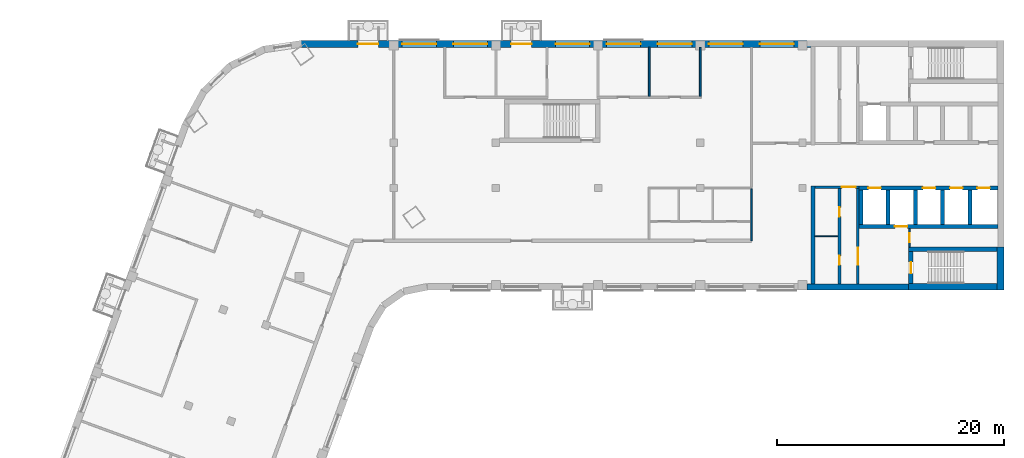
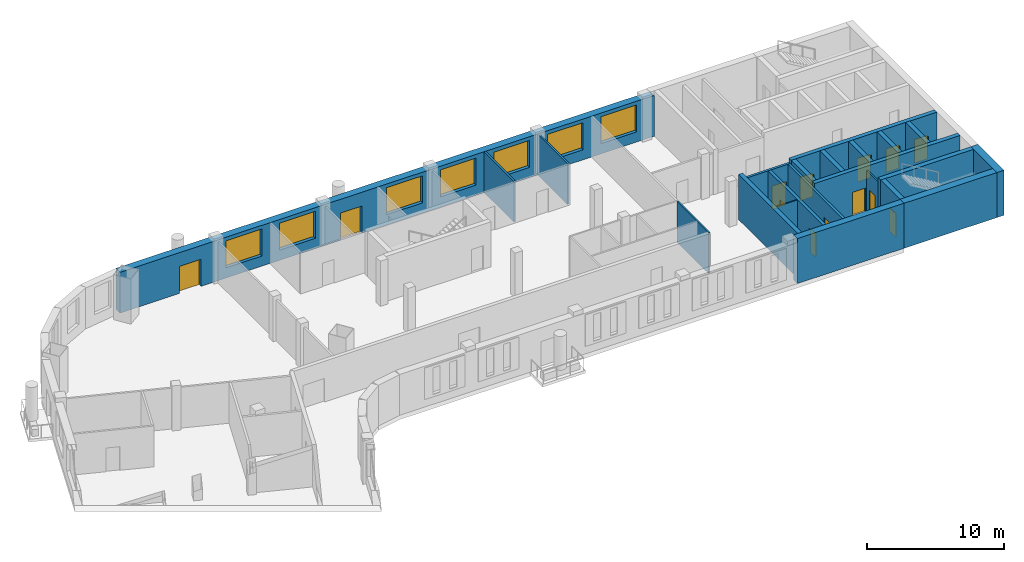
# One storey, part 5 of 10: 22 walls, 13 doors, 7 windows, 20 openings.
"""IFC4 building model written with IfcOpenShell, lengths in metres."""

from ifc_helpers import new_model, si_unit, direction, frame, frame_2d, origin, place, context, subcontext, project, spatial, rectangle, extrude, material, layer, layer_set, type_object, element, fill, save


model = new_model("IFC4")

# Units and contexts
model_context = context("Model", 3, precision=1e-05, world=origin(), true_north=direction((0.0, 1.0)))
body_context = subcontext(model_context, "Body", "Model", "MODEL_VIEW")
ifc_project = project(units=[si_unit("LENGTHUNIT", "METRE"), si_unit("AREAUNIT", "SQUARE_METRE"), si_unit("VOLUMEUNIT", "CUBIC_METRE"), si_unit("PLANEANGLEUNIT", "RADIAN"), si_unit("MASSUNIT", "GRAM", prefix="KILO")], contexts=[model_context])

# Site, building, storey
site_placement = place(None, origin())
site = spatial("IfcSite", under=ifc_project, at=site_placement, CompositionType="ELEMENT")
building_placement = place(site_placement, origin())
building = spatial("IfcBuilding", under=site, at=building_placement, Name="Skarvind Civic Tower", CompositionType="ELEMENT")
storey_placement = place(building_placement, frame((0.0, 0.0, 166.5)))
storey = spatial("IfcBuildingStorey", under=building, at=storey_placement, Name="L39", CompositionType="ELEMENT", Elevation=166.5)

# Wall, opening, door
ifc_material_1 = material(Name="Fire-rated masonry partition", Category="masonry")
ifc_layer_1 = layer(ifc_material_1, 0.199951171875)
ifc_layer_set_1 = layer_set([ifc_layer_1], Name="Core enclosure wall 200")
wall_type_1 = type_object("IfcWallType", Name="Core enclosure wall 200", PredefinedType="PARTITIONING", material=ifc_layer_set_1)
wall_1_placement = place(storey_placement, frame((95.22509765625, 126.074951171875, 0.0), z_axis=(0.0, 0.0, 1.0), x_axis=(-1.0, 0.0, 0.0)))
wall_1 = element("IfcWall", 1, at=wall_1_placement, inside=storey, type_object=wall_type_1, Name="Core wall C1", PredefinedType="PARTITIONING", context=body_context, shape_type="SweptSolid", body=[
    extrude(rectangle(XDim=3.875, YDim=0.199951171875, at=frame_2d((1.9375, 0.0))), origin(), (0.0, 0.0, 1.0), 3.625),
])
opening_1_placement = place(wall_1_placement, frame((0.300048828125, 0.0, 0.0)))
opening_1 = element("IfcOpeningElement", 2, at=opening_1_placement, cuts=wall_1, Name="Opening D-L39-C1-07", PredefinedType="OPENING", context=body_context, shape_type="SweptSolid", body=[
    extrude(rectangle(XDim=1.199951171875, YDim=2.10009765625, at=frame_2d((0.60009765625, 1.050048828125))), frame((0.0, 0.10986328125, 0.0), z_axis=(0.0, -1.0, 0.0), x_axis=(1.0, 0.0, 0.0)), (0.0, 0.0, 1.0), 0.219970703125),
])
ifc_material_2 = material(Name="Fire-rated steel door", Category="steel")
door_type_1 = type_object("IfcDoorType", Name="Core lobby door 1200", OperationType="NOTDEFINED", PredefinedType="DOOR", material=ifc_material_2)
door_1_placement = place(opening_1_placement, origin())
door_1 = element("IfcDoor", 3, at=door_1_placement, inside=storey, type_object=door_type_1, Name="Fire door", OperationType="DOUBLE_DOOR_SINGLE_SWING", OverallHeight=2.10009765625, OverallWidth=1.199951171875, PredefinedType="DOOR", context=body_context, shape_type="SweptSolid", body=[
    extrude(rectangle(XDim=1.199951171875, YDim=2.10009765625, at=frame_2d((0.60009765625, 1.050048828125))), frame((0.0, 0.02490234375, 0.0), z_axis=(0.0, -1.0, 0.0), x_axis=(1.0, 0.0, 0.0)), (0.0, 0.0, 1.0), 0.050048828125),
])
fill(opening_1, door_1)

wall_2_placement = place(storey_placement, frame((95.125, 117.550048828125, 0.0), z_axis=(0.0, 0.0, 1.0), x_axis=(0.0, 1.0, 0.0)))
wall_2 = element("IfcWall", 4, at=wall_2_placement, inside=storey, type_object=wall_type_1, Name="Core wall C1", PredefinedType="PARTITIONING", context=body_context, shape_type="SweptSolid", body=[
    extrude(rectangle(XDim=8.425048828125, YDim=0.199951171875, at=frame_2d((4.21240234375, 0.0))), origin(), (0.0, 0.0, 1.0), 3.625),
])
opening_2_placement = place(wall_2_placement, frame((1.6875, 0.0, 0.0)))
opening_2 = element("IfcOpeningElement", 5, at=opening_2_placement, cuts=wall_2, Name="Opening D-L39-C1-08", PredefinedType="OPENING", context=body_context, shape_type="SweptSolid", body=[
    extrude(rectangle(XDim=1.5, YDim=2.10009765625, at=frame_2d((0.75, 1.050048828125))), frame((0.0, 0.10986328125, 0.0), z_axis=(0.0, -1.0, 0.0), x_axis=(1.0, 0.0, 0.0)), (0.0, 0.0, 1.0), 0.219970703125),
])
door_type_2 = type_object("IfcDoorType", Name="Fire door 1500", OperationType="NOTDEFINED", PredefinedType="DOOR", material=ifc_material_2)
door_2_placement = place(opening_2_placement, origin())
door_2 = element("IfcDoor", 6, at=door_2_placement, inside=storey, type_object=door_type_2, Name="Fire door", OperationType="DOUBLE_DOOR_SINGLE_SWING", OverallHeight=2.10009765625, OverallWidth=1.5, PredefinedType="DOOR", context=body_context, shape_type="SweptSolid", body=[
    extrude(rectangle(XDim=1.5, YDim=2.10009765625, at=frame_2d((0.75, 1.050048828125))), frame((0.0, 0.02490234375, 0.0), z_axis=(0.0, -1.0, 0.0), x_axis=(1.0, 0.0, 0.0)), (0.0, 0.0, 1.0), 0.050048828125),
])
fill(opening_2, door_2)

# Wall
ifc_material_3 = material(Name="Fire-rated plasterboard partition")
ifc_layer_2 = layer(ifc_material_3, 0.10009765625)
ifc_layer_set_2 = layer_set([ifc_layer_2], Name="Core partition wall 100")
wall_type_2 = type_object("IfcWallType", Name="Core partition wall 100", PredefinedType="PARTITIONING", material=ifc_layer_set_2)
wall_3_placement = place(storey_placement, frame((93.375, 121.760009765625, 0.0), z_axis=(0.0, 0.0, 1.0), x_axis=(-1.0, 0.0, 0.0)))
element("IfcWall", 7, at=wall_3_placement, inside=storey, type_object=wall_type_2, Name="Core wall C1", PredefinedType="PARTITIONING", context=body_context, shape_type="SweptSolid", body=[
    extrude(rectangle(XDim=2.02490234375, YDim=0.10009765625, at=frame_2d((1.012451171875, 0.0))), origin(), (0.0, 0.0, 1.0), 3.625),
])

# Wall, openings, doors
ifc_material_4 = material(Name="Concrete C60", Category="concrete")
ifc_layer_3 = layer(ifc_material_4, 0.35009765625)
ifc_layer_set_3 = layer_set([ifc_layer_3], Name="Core wall 350 C60")
wall_type_3 = type_object("IfcWallType", Name="Core wall 350 C60", PredefinedType="SHEAR", material=ifc_layer_set_3)
wall_4_placement = place(storey_placement, frame((107.449951171875, 126.0, 0.0), z_axis=(0.0, 0.0, 1.0), x_axis=(-1.0, 0.0, 0.0)))
wall_4 = element("IfcWall", 8, at=wall_4_placement, inside=storey, type_object=wall_type_3, Name="Core wall C1 north lift row front L39", PredefinedType="SHEAR", context=body_context, shape_type="SweptSolid", body=[
    extrude(rectangle(XDim=12.224853515625, YDim=0.35009765625, at=frame_2d((6.1123046875, 0.0))), origin(), (0.0, 0.0, 1.0), 4.0),
])
opening_3_placement = place(wall_4_placement, frame((0.699951171875, 0.0, 0.0)))
opening_3 = element("IfcOpeningElement", 9, at=opening_3_placement, cuts=wall_4, Name="Opening LD41101", PredefinedType="OPENING", context=body_context, shape_type="SweptSolid", body=[
    extrude(rectangle(XDim=1.10009765625, YDim=2.10009765625, at=frame_2d((0.550048828125, 1.050048828125))), frame((0.0, 0.18505859375, 0.0), z_axis=(0.0, -1.0, 0.0), x_axis=(1.0, 0.0, 0.0)), (0.0, 0.0, 1.0), 0.3701171875),
])
opening_4_placement = place(wall_4_placement, frame((3.10009765625, 0.0, 0.0)))
opening_4 = element("IfcOpeningElement", 10, at=opening_4_placement, cuts=wall_4, Name="Opening LD41102", PredefinedType="OPENING", context=body_context, shape_type="SweptSolid", body=[
    extrude(rectangle(XDim=1.10009765625, YDim=2.10009765625, at=frame_2d((0.550048828125, 1.050048828125))), frame((0.0, 0.18505859375, 0.0), z_axis=(0.0, -1.0, 0.0), x_axis=(1.0, 0.0, 0.0)), (0.0, 0.0, 1.0), 0.3701171875),
])
opening_5_placement = place(wall_4_placement, frame((5.5, 0.0, 0.0)))
opening_5 = element("IfcOpeningElement", 11, at=opening_5_placement, cuts=wall_4, Name="Opening LD41103", PredefinedType="OPENING", context=body_context, shape_type="SweptSolid", body=[
    extrude(rectangle(XDim=1.10009765625, YDim=2.10009765625, at=frame_2d((0.550048828125, 1.050048828125))), frame((0.0, 0.18505859375, 0.0), z_axis=(0.0, -1.0, 0.0), x_axis=(1.0, 0.0, 0.0)), (0.0, 0.0, 1.0), 0.3701171875),
])
opening_6_placement = place(wall_4_placement, frame((10.300048828125, 0.0, 0.0)))
opening_6 = element("IfcOpeningElement", 12, at=opening_6_placement, cuts=wall_4, Name="Opening LD41105", PredefinedType="OPENING", context=body_context, shape_type="SweptSolid", body=[
    extrude(rectangle(XDim=1.10009765625, YDim=2.10009765625, at=frame_2d((0.550048828125, 1.050048828125))), frame((0.0, 0.18505859375, 0.0), z_axis=(0.0, -1.0, 0.0), x_axis=(1.0, 0.0, 0.0)), (0.0, 0.0, 1.0), 0.3701171875),
])
ifc_material_5 = material(Name="Stainless steel landing door", Category="steel")
door_type_3 = type_object("IfcDoorType", Name="Lift landing door 1100", OperationType="DOUBLE_DOOR_SLIDING", PredefinedType="DOOR", material=ifc_material_5)
door_3_placement = place(opening_3_placement, origin())
door_3 = element("IfcDoor", 13, at=door_3_placement, inside=storey, type_object=door_type_3, Name="Lift landing door", OperationType="DOUBLE_DOOR_SLIDING", OverallHeight=2.10009765625, OverallWidth=1.10009765625, PredefinedType="DOOR", context=body_context, shape_type="SweptSolid", body=[
    extrude(rectangle(XDim=1.10009765625, YDim=2.10009765625, at=frame_2d((0.550048828125, 1.050048828125))), frame((0.0, 0.02490234375, 0.0), z_axis=(0.0, -1.0, 0.0), x_axis=(1.0, 0.0, 0.0)), (0.0, 0.0, 1.0), 0.050048828125),
])
fill(opening_3, door_3)
door_4_placement = place(opening_4_placement, origin())
door_4 = element("IfcDoor", 14, at=door_4_placement, inside=storey, type_object=door_type_3, Name="Lift landing door", OperationType="DOUBLE_DOOR_SLIDING", OverallHeight=2.10009765625, OverallWidth=1.10009765625, PredefinedType="DOOR", context=body_context, shape_type="SweptSolid", body=[
    extrude(rectangle(XDim=1.10009765625, YDim=2.10009765625, at=frame_2d((0.550048828125, 1.050048828125))), frame((0.0, 0.02490234375, 0.0), z_axis=(0.0, -1.0, 0.0), x_axis=(1.0, 0.0, 0.0)), (0.0, 0.0, 1.0), 0.050048828125),
])
fill(opening_4, door_4)
door_5_placement = place(opening_5_placement, origin())
door_5 = element("IfcDoor", 15, at=door_5_placement, inside=storey, type_object=door_type_3, Name="Lift landing door", OperationType="DOUBLE_DOOR_SLIDING", OverallHeight=2.10009765625, OverallWidth=1.10009765625, PredefinedType="DOOR", context=body_context, shape_type="SweptSolid", body=[
    extrude(rectangle(XDim=1.10009765625, YDim=2.10009765625, at=frame_2d((0.550048828125, 1.050048828125))), frame((0.0, 0.02490234375, 0.0), z_axis=(0.0, -1.0, 0.0), x_axis=(1.0, 0.0, 0.0)), (0.0, 0.0, 1.0), 0.050048828125),
])
fill(opening_5, door_5)
door_6_placement = place(opening_6_placement, origin())
door_6 = element("IfcDoor", 16, at=door_6_placement, inside=storey, type_object=door_type_3, Name="Lift landing door", OperationType="DOUBLE_DOOR_SLIDING", OverallHeight=2.10009765625, OverallWidth=1.10009765625, PredefinedType="DOOR", context=body_context, shape_type="SweptSolid", body=[
    extrude(rectangle(XDim=1.10009765625, YDim=2.10009765625, at=frame_2d((0.550048828125, 1.050048828125))), frame((0.0, 0.02490234375, 0.0), z_axis=(0.0, -1.0, 0.0), x_axis=(1.0, 0.0, 0.0)), (0.0, 0.0, 1.0), 0.050048828125),
])
fill(opening_6, door_6)

# Wall, opening, door
wall_5_placement = place(storey_placement, frame((107.449951171875, 122.60009765625, 0.0), z_axis=(0.0, 0.0, 1.0), x_axis=(-1.0, 0.0, 0.0)))
wall_5 = element("IfcWall", 17, at=wall_5_placement, inside=storey, type_object=wall_type_3, Name="Core wall C1 north lift row back L39", PredefinedType="SHEAR", context=body_context, shape_type="SweptSolid", body=[
    extrude(rectangle(XDim=12.224853515625, YDim=0.35009765625, at=frame_2d((6.1123046875, 0.0))), origin(), (0.0, 0.0, 1.0), 4.0),
])
opening_7_placement = place(wall_5_placement, frame((7.949951171875, 0.0, 0.0)))
opening_7 = element("IfcOpeningElement", 18, at=opening_7_placement, cuts=wall_5, Name="Opening LD41104", PredefinedType="OPENING", context=body_context, shape_type="SweptSolid", body=[
    extrude(rectangle(XDim=1.10009765625, YDim=2.10009765625, at=frame_2d((0.550048828125, 1.050048828125))), frame((0.0, 0.18505859375, 0.0), z_axis=(0.0, -1.0, 0.0), x_axis=(1.0, 0.0, 0.0)), (0.0, 0.0, 1.0), 0.3701171875),
])
door_7_placement = place(opening_7_placement, origin())
door_7 = element("IfcDoor", 19, at=door_7_placement, inside=storey, type_object=door_type_3, Name="Lift landing door", OperationType="DOUBLE_DOOR_SLIDING", OverallHeight=2.10009765625, OverallWidth=1.10009765625, PredefinedType="DOOR", context=body_context, shape_type="SweptSolid", body=[
    extrude(rectangle(XDim=1.10009765625, YDim=2.10009765625, at=frame_2d((0.550048828125, 1.050048828125))), frame((0.0, 0.02490234375, 0.0), z_axis=(0.0, -1.0, 0.0), x_axis=(1.0, 0.0, 0.0)), (0.0, 0.0, 1.0), 0.050048828125),
])
fill(opening_7, door_7)

# Walls
for number, where, z_axis, x_axis, name in (
    (20, (105.0, 125.824951171875, 0.0), (0.0, 0.0, 1.0), (0.0, -1.0, 0.0), "Core wall C1 north lift row division 1 L39"),
    (21, (102.60009765625, 125.824951171875, 0.0), (0.0, 0.0, 1.0), (0.0, -1.0, 0.0), "Core wall C1 north lift row division 2 L39"),
    (22, (100.199951171875, 125.824951171875, 0.0), (0.0, 0.0, 1.0), (0.0, -1.0, 0.0), "Core wall C1 north lift row division 3 L39"),
    (23, (97.800048828125, 125.824951171875, 0.0), (0.0, 0.0, 1.0), (0.0, -1.0, 0.0), "Core wall C1 north lift row division 4 L39"),
    (24, (95.39990234375, 125.824951171875, 0.0), (0.0, 0.0, 1.0), (0.0, -1.0, 0.0), "Core wall C1 north lift row division 5 L39"),
):
    element("IfcWall", number, at=place(storey_placement, frame(where, z_axis=z_axis, x_axis=x_axis)), inside=storey, type_object=wall_type_3, Name=name, PredefinedType="SHEAR", context=body_context, shape_type="SweptSolid", body=[
        extrude(rectangle(XDim=3.050048828125, YDim=0.35009765625, at=frame_2d((1.52490234375, 0.0))), origin(), (0.0, 0.0, 1.0), 4.0),
    ])
wall_6_placement = place(storey_placement, frame((91.175048828125, 126.199951171875, 0.0), z_axis=(0.0, 0.0, 1.0), x_axis=(0.0, -1.0, 0.0)))
element("IfcWall", 25, at=wall_6_placement, inside=storey, type_object=wall_type_3, Name="Core wall C1 north inner face L39", PredefinedType="SHEAR", context=body_context, shape_type="SweptSolid", body=[
    extrude(rectangle(XDim=8.64990234375, YDim=0.35009765625, at=frame_2d((4.324951171875, 0.0))), origin(), (0.0, 0.0, 1.0), 4.0),
])
ifc_layer_4 = layer(ifc_material_4, 0.39990234375)
ifc_layer_set_4 = layer_set([ifc_layer_4], Name="Core wall 400 C60")
wall_type_4 = type_object("IfcWallType", Name="Core wall 400 C60", PredefinedType="SHEAR", material=ifc_layer_set_4)
wall_7_placement = place(storey_placement, frame((107.39990234375, 120.60009765625, 0.0), z_axis=(0.0, 0.0, 1.0), x_axis=(-1.0, 0.0, 0.0)))
element("IfcWall", 26, at=wall_7_placement, inside=storey, type_object=wall_type_4, Name="Core wall C1 north stair inner L39", PredefinedType="SHEAR", context=body_context, shape_type="SweptSolid", body=[
    extrude(rectangle(XDim=7.7998046875, YDim=0.39990234375, at=frame_2d((3.89990234375, 0.0))), origin(), (0.0, 0.0, 1.0), 4.0),
])

# Wall, opening, door
wall_8_placement = place(storey_placement, frame((99.800048828125, 120.39990234375, 0.0), z_axis=(0.0, 0.0, 1.0), x_axis=(0.0, -1.0, 0.0)))
wall_8 = element("IfcWall", 27, at=wall_8_placement, inside=storey, type_object=wall_type_4, Name="Core wall C1 north stair end L39", PredefinedType="SHEAR", context=body_context, shape_type="SweptSolid", body=[
    extrude(rectangle(XDim=2.7998046875, YDim=0.39990234375, at=frame_2d((1.39990234375, 0.0))), origin(), (0.0, 0.0, 1.0), 4.0),
])
opening_8_placement = place(wall_8_placement, frame((0.925048828125, 0.0, 0.0)))
opening_8 = element("IfcOpeningElement", 28, at=opening_8_placement, cuts=wall_8, Name="Opening D-L39-C1-09", PredefinedType="OPENING", context=body_context, shape_type="SweptSolid", body=[
    extrude(rectangle(XDim=1.0, YDim=2.10009765625, at=frame_2d((0.5, 1.050048828125))), frame((0.0, 0.2099609375, 0.0), z_axis=(0.0, -1.0, 0.0), x_axis=(1.0, 0.0, 0.0)), (0.0, 0.0, 1.0), 0.419921875),
])
door_type_4 = type_object("IfcDoorType", Name="Fire door 1000", OperationType="NOTDEFINED", PredefinedType="DOOR", material=ifc_material_2)
door_8_placement = place(opening_8_placement, origin())
door_8 = element("IfcDoor", 29, at=door_8_placement, inside=storey, type_object=door_type_4, Name="Fire door", OperationType="SINGLE_SWING_LEFT", OverallHeight=2.10009765625, OverallWidth=1.0, PredefinedType="DOOR", context=body_context, shape_type="SweptSolid", body=[
    extrude(rectangle(XDim=1.0, YDim=2.10009765625, at=frame_2d((0.5, 1.050048828125))), frame((0.0, 0.02490234375, 0.0), z_axis=(0.0, -1.0, 0.0), x_axis=(1.0, 0.0, 0.0)), (0.0, 0.0, 1.0), 0.050048828125),
])
fill(opening_8, door_8)

# Walls
ifc_layer_5 = layer(ifc_material_4, 0.550048828125)
ifc_layer_set_5 = layer_set([ifc_layer_5], Name="Core wall 550 C60")
wall_type_5 = type_object("IfcWallType", Name="Core wall 550 C60", PredefinedType="SHEAR", material=ifc_layer_set_5)
wall_9_placement = place(storey_placement, frame((99.60009765625, 117.27490234375, 0.0), z_axis=(0.0, 0.0, 1.0), x_axis=(-1.0, 0.0, 0.0)))
element("IfcWall", 30, at=wall_9_placement, inside=storey, type_object=wall_type_5, Name="Core wall C1 north side L39", PredefinedType="SHEAR", context=body_context, shape_type="SweptSolid", body=[
    extrude(rectangle(XDim=8.9501953125, YDim=0.550048828125, at=frame_2d((4.47509765625, 0.0))), origin(), (0.0, 0.0, 1.0), 4.0),
])
ifc_layer_6 = layer(ifc_material_4, 0.60009765625)
ifc_layer_set_6 = layer_set([ifc_layer_6], Name="Core wall 600 C60")
wall_type_6 = type_object("IfcWallType", Name="Core wall 600 C60", PredefinedType="SHEAR", material=ifc_layer_set_6)
wall_10_placement = place(storey_placement, frame((107.699951171875, 120.800048828125, 0.0), z_axis=(0.0, 0.0, 1.0), x_axis=(0.0, -1.0, 0.0)))
element("IfcWall", 31, at=wall_10_placement, inside=storey, type_object=wall_type_6, Name="Core wall C1 tip at the north stair L39", PredefinedType="SHEAR", context=body_context, shape_type="SweptSolid", body=[
    extrude(rectangle(XDim=3.800048828125, YDim=0.60009765625, at=frame_2d((1.89990234375, 0.0))), origin(), (0.0, 0.0, 1.0), 4.0),
])
wall_11_placement = place(storey_placement, frame((107.39990234375, 117.300048828125, 0.0), z_axis=(0.0, 0.0, 1.0), x_axis=(-1.0, 0.0, 0.0)))
element("IfcWall", 32, at=wall_11_placement, inside=storey, type_object=wall_type_6, Name="Core wall C1 north side at the stair L39", PredefinedType="SHEAR", context=body_context, shape_type="SweptSolid", body=[
    extrude(rectangle(XDim=7.7998046875, YDim=0.60009765625, at=frame_2d((3.89990234375, 0.0))), origin(), (0.0, 0.0, 1.0), 4.0),
])
ifc_material_6 = material(Name="Plasterboard partition on steel studs", Category="steel")
ifc_layer_7 = layer(ifc_material_6, 0.14990234375)
ifc_layer_set_7 = layer_set([ifc_layer_7], Name="PARTITION 150")
wall_type_7 = type_object("IfcWallType", Name="PARTITION 150", PredefinedType="PARTITIONING", material=ifc_layer_set_7)
for number, where, z_axis, x_axis, name in (
    (33, (76.75, 134.074951171875, 0.0), (0.0, 0.0, 1.0), (0.0, 1.0, 0.0), "Partition 39.025"),
    (34, (81.25, 138.39990234375, 0.0), (0.0, 0.0, 1.0), (0.0, -1.0, 0.0), "Partition 39.027"),
):
    element("IfcWall", number, at=place(storey_placement, frame(where, z_axis=z_axis, x_axis=x_axis)), inside=storey, type_object=wall_type_7, Name=name, PredefinedType="PARTITIONING", context=body_context, shape_type="SweptSolid", body=[
        extrude(rectangle(XDim=4.324951171875, YDim=0.14990234375, at=frame_2d((2.16259765625, 0.0))), origin(), (0.0, 0.0, 1.0), 3.625),
    ])

# Wall, opening, door
ifc_layer_8 = layer(ifc_material_1, 0.125)
ifc_layer_set_8 = layer_set([ifc_layer_8], Name="Riser wall 125")
wall_type_8 = type_object("IfcWallType", Name="Riser wall 125", PredefinedType="PARTITIONING", material=ifc_layer_set_8)
wall_12_placement = place(storey_placement, frame((99.66259765625, 120.800048828125, 0.0), z_axis=(0.0, 0.0, 1.0), x_axis=(0.0, 1.0, 0.0)))
wall_12 = element("IfcWall", 35, at=wall_12_placement, inside=storey, type_object=wall_type_8, Name="Core wall C1", PredefinedType="PARTITIONING", context=body_context, shape_type="SweptSolid", body=[
    extrude(rectangle(XDim=1.625, YDim=0.125, at=frame_2d((0.8125, 0.0))), origin(), (0.0, 0.0, 1.0), 3.625),
])
opening_9_placement = place(wall_12_placement, frame((0.41259765625, 0.0, 0.0)))
opening_9 = element("IfcOpeningElement", 36, at=opening_9_placement, cuts=wall_12, Name="Opening D-L39-C1-10", PredefinedType="OPENING", context=body_context, shape_type="SweptSolid", body=[
    extrude(rectangle(XDim=0.800048828125, YDim=2.10009765625, at=frame_2d((0.39990234375, 1.050048828125))), frame((0.0, 0.072509765625, 0.0), z_axis=(0.0, -1.0, 0.0), x_axis=(1.0, 0.0, 0.0)), (0.0, 0.0, 1.0), 0.14501953125),
])
door_type_5 = type_object("IfcDoorType", Name="Core riser door 800", OperationType="NOTDEFINED", PredefinedType="DOOR", material=ifc_material_2)
door_9_placement = place(opening_9_placement, origin())
door_9 = element("IfcDoor", 37, at=door_9_placement, inside=storey, type_object=door_type_5, Name="Riser door", OperationType="SINGLE_SWING_RIGHT", OverallHeight=2.10009765625, OverallWidth=0.800048828125, PredefinedType="DOOR", context=body_context, shape_type="SweptSolid", body=[
    extrude(rectangle(XDim=0.800048828125, YDim=2.10009765625, at=frame_2d((0.39990234375, 1.050048828125))), frame((0.0, 0.02490234375, 0.0), z_axis=(0.0, -1.0, 0.0), x_axis=(1.0, 0.0, 0.0)), (0.0, 0.0, 1.0), 0.050048828125),
])
fill(opening_9, door_9)

# Wall, openings, doors
ifc_layer_9 = layer(ifc_material_1, 0.25)
ifc_layer_set_9 = layer_set([ifc_layer_9], Name="Service block wall 250")
wall_type_9 = type_object("IfcWallType", Name="Service block wall 250", PredefinedType="PARTITIONING", material=ifc_layer_set_9)
wall_13_placement = place(storey_placement, frame((93.5, 117.550048828125, 0.0), z_axis=(0.0, 0.0, 1.0), x_axis=(0.0, 1.0, 0.0)))
wall_13 = element("IfcWall", 38, at=wall_13_placement, inside=storey, type_object=wall_type_9, Name="Core wall C1", PredefinedType="PARTITIONING", context=body_context, shape_type="SweptSolid", body=[
    extrude(rectangle(XDim=8.425048828125, YDim=0.25, at=frame_2d((4.21240234375, 0.0))), origin(), (0.0, 0.0, 1.0), 3.625),
])
opening_10_placement = place(wall_13_placement, frame((5.9423828125, 0.0, 0.0)))
opening_10 = element("IfcOpeningElement", 39, at=opening_10_placement, cuts=wall_13, Name="Opening D-L39-C1-11", PredefinedType="OPENING", context=body_context, shape_type="SweptSolid", body=[
    extrude(rectangle(XDim=0.800048828125, YDim=2.10009765625, at=frame_2d((0.39990234375, 1.050048828125))), frame((0.0, 0.135009765625, 0.0), z_axis=(0.0, -1.0, 0.0), x_axis=(1.0, 0.0, 0.0)), (0.0, 0.0, 1.0), 0.27001953125),
])
opening_11_placement = place(wall_13_placement, frame((1.679931640625, 0.0, 0.0)))
opening_11 = element("IfcOpeningElement", 40, at=opening_11_placement, cuts=wall_13, Name="Opening D-L39-C1-12", PredefinedType="OPENING", context=body_context, shape_type="SweptSolid", body=[
    extrude(rectangle(XDim=0.800048828125, YDim=2.10009765625, at=frame_2d((0.39990234375, 1.050048828125))), frame((0.0, 0.135009765625, 0.0), z_axis=(0.0, -1.0, 0.0), x_axis=(1.0, 0.0, 0.0)), (0.0, 0.0, 1.0), 0.27001953125),
])
door_10_placement = place(opening_10_placement, origin())
door_10 = element("IfcDoor", 41, at=door_10_placement, inside=storey, type_object=door_type_5, Name="Riser door", OperationType="SINGLE_SWING_LEFT", OverallHeight=2.10009765625, OverallWidth=0.800048828125, PredefinedType="DOOR", context=body_context, shape_type="SweptSolid", body=[
    extrude(rectangle(XDim=0.800048828125, YDim=2.10009765625, at=frame_2d((0.39990234375, 1.050048828125))), frame((0.0, 0.02490234375, 0.0), z_axis=(0.0, -1.0, 0.0), x_axis=(1.0, 0.0, 0.0)), (0.0, 0.0, 1.0), 0.050048828125),
])
fill(opening_10, door_10)
door_11_placement = place(opening_11_placement, origin())
door_11 = element("IfcDoor", 42, at=door_11_placement, inside=storey, type_object=door_type_5, Name="Riser door", OperationType="SINGLE_SWING_RIGHT", OverallHeight=2.10009765625, OverallWidth=0.800048828125, PredefinedType="DOOR", context=body_context, shape_type="SweptSolid", body=[
    extrude(rectangle(XDim=0.800048828125, YDim=2.10009765625, at=frame_2d((0.39990234375, 1.050048828125))), frame((0.0, 0.02490234375, 0.0), z_axis=(0.0, -1.0, 0.0), x_axis=(1.0, 0.0, 0.0)), (0.0, 0.0, 1.0), 0.050048828125),
])
fill(opening_11, door_11)

# Wall
ifc_material_7 = material(Name="Moisture-resistant gypsum board on steel studs", Category="steel")
ifc_layer_10 = layer(ifc_material_7, 0.125)
ifc_layer_set_10 = layer_set([ifc_layer_10], Name="WC PARTITION 125")
wall_type_10 = type_object("IfcWallType", Name="WC PARTITION 125", PredefinedType="PARTITIONING", material=ifc_layer_set_10)
wall_14_placement = place(storey_placement, frame((85.75, 121.35009765625, 0.0), z_axis=(0.0, 0.0, 1.0), x_axis=(0.0, 1.0, 0.0)))
element("IfcWall", 43, at=wall_14_placement, inside=storey, type_object=wall_type_10, Name="Partition 39.029", PredefinedType="PARTITIONING", context=body_context, shape_type="SweptSolid", body=[
    extrude(rectangle(XDim=4.577880859375, YDim=0.125, at=frame_2d((2.2890625, 0.0))), origin(), (0.0, 0.0, 1.0), 3.625),
])

# Wall, openings, doors, windows
ifc_material_8 = material(Name="Limestone masonry cladding on insulated backing", Category="masonry")
ifc_layer_11 = layer(ifc_material_8, 0.60009765625)
ifc_layer_set_11 = layer_set([ifc_layer_11], Name="WX1 STONE FACADE WALL 600")
wall_type_11 = type_object("IfcWallType", Name="WX1 STONE FACADE WALL 600", PredefinedType="SOLIDWALL", material=ifc_layer_set_11)
wall_15_placement = place(storey_placement, frame((46.095458984375, 138.699951171875, 0.0), z_axis=(0.0, 0.0, 1.0), x_axis=(1.0, 0.0, 0.0)))
wall_15 = element("IfcWall", 44, at=wall_15_placement, inside=storey, type_object=wall_type_11, Name="STONE FACADE WALL", PredefinedType="SOLIDWALL", context=body_context, shape_type="SweptSolid", body=[
    extrude(rectangle(XDim=44.884521484375, YDim=0.60009765625, at=frame_2d((22.4423828125, 0.0))), origin(), (0.0, 0.0, 1.0), 3.625),
])
opening_12_placement = place(wall_15_placement, frame((5.00439453125, 0.0, 0.0)))
opening_12 = element("IfcOpeningElement", 45, at=opening_12_placement, cuts=wall_15, Name="Opening DX3", PredefinedType="OPENING", context=body_context, shape_type="SweptSolid", body=[
    extrude(rectangle(XDim=1.800048828125, YDim=2.39990234375, at=frame_2d((0.89990234375, 1.199951171875))), frame((0.0, 0.31005859375, 0.0), z_axis=(0.0, -1.0, 0.0), x_axis=(1.0, 0.0, 0.0)), (0.0, 0.0, 1.0), 0.6201171875),
])
opening_13_placement = place(wall_15_placement, frame((8.904541015625, 0.0, 0.89990234375)))
opening_13 = element("IfcOpeningElement", 46, at=opening_13_placement, cuts=wall_15, Name="Opening WN1", PredefinedType="OPENING", context=body_context, shape_type="SweptSolid", body=[
    extrude(rectangle(XDim=3.0, YDim=2.39990234375, at=frame_2d((1.5, 1.199951171875))), frame((0.0, 0.31005859375, 0.0), z_axis=(0.0, -1.0, 0.0), x_axis=(1.0, 0.0, 0.0)), (0.0, 0.0, 1.0), 0.6201171875),
])
opening_14_placement = place(wall_15_placement, frame((13.404541015625, 0.0, 0.89990234375)))
opening_14 = element("IfcOpeningElement", 47, at=opening_14_placement, cuts=wall_15, Name="Opening WN1", PredefinedType="OPENING", context=body_context, shape_type="SweptSolid", body=[
    extrude(rectangle(XDim=3.0, YDim=2.39990234375, at=frame_2d((1.5, 1.199951171875))), frame((0.0, 0.31005859375, 0.0), z_axis=(0.0, -1.0, 0.0), x_axis=(1.0, 0.0, 0.0)), (0.0, 0.0, 1.0), 0.6201171875),
])
opening_15_placement = place(wall_15_placement, frame((18.50439453125, 0.0, 0.0)))
opening_15 = element("IfcOpeningElement", 48, at=opening_15_placement, cuts=wall_15, Name="Opening DX3", PredefinedType="OPENING", context=body_context, shape_type="SweptSolid", body=[
    extrude(rectangle(XDim=1.800048828125, YDim=2.39990234375, at=frame_2d((0.89990234375, 1.199951171875))), frame((0.0, 0.31005859375, 0.0), z_axis=(0.0, -1.0, 0.0), x_axis=(1.0, 0.0, 0.0)), (0.0, 0.0, 1.0), 0.6201171875),
])
opening_16_placement = place(wall_15_placement, frame((22.404541015625, 0.0, 0.89990234375)))
opening_16 = element("IfcOpeningElement", 49, at=opening_16_placement, cuts=wall_15, Name="Opening WN1", PredefinedType="OPENING", context=body_context, shape_type="SweptSolid", body=[
    extrude(rectangle(XDim=3.0, YDim=2.39990234375, at=frame_2d((1.5, 1.199951171875))), frame((0.0, 0.31005859375, 0.0), z_axis=(0.0, -1.0, 0.0), x_axis=(1.0, 0.0, 0.0)), (0.0, 0.0, 1.0), 0.6201171875),
])
opening_17_placement = place(wall_15_placement, frame((26.904541015625, 0.0, 0.89990234375)))
opening_17 = element("IfcOpeningElement", 50, at=opening_17_placement, cuts=wall_15, Name="Opening WN1", PredefinedType="OPENING", context=body_context, shape_type="SweptSolid", body=[
    extrude(rectangle(XDim=3.0, YDim=2.39990234375, at=frame_2d((1.5, 1.199951171875))), frame((0.0, 0.31005859375, 0.0), z_axis=(0.0, -1.0, 0.0), x_axis=(1.0, 0.0, 0.0)), (0.0, 0.0, 1.0), 0.6201171875),
])
opening_18_placement = place(wall_15_placement, frame((31.404541015625, 0.0, 0.89990234375)))
opening_18 = element("IfcOpeningElement", 51, at=opening_18_placement, cuts=wall_15, Name="Opening WN1", PredefinedType="OPENING", context=body_context, shape_type="SweptSolid", body=[
    extrude(rectangle(XDim=3.0, YDim=2.39990234375, at=frame_2d((1.5, 1.199951171875))), frame((0.0, 0.31005859375, 0.0), z_axis=(0.0, -1.0, 0.0), x_axis=(1.0, 0.0, 0.0)), (0.0, 0.0, 1.0), 0.6201171875),
])
opening_19_placement = place(wall_15_placement, frame((35.904541015625, 0.0, 0.89990234375)))
opening_19 = element("IfcOpeningElement", 52, at=opening_19_placement, cuts=wall_15, Name="Opening WN1", PredefinedType="OPENING", context=body_context, shape_type="SweptSolid", body=[
    extrude(rectangle(XDim=3.0, YDim=2.39990234375, at=frame_2d((1.5, 1.199951171875))), frame((0.0, 0.31005859375, 0.0), z_axis=(0.0, -1.0, 0.0), x_axis=(1.0, 0.0, 0.0)), (0.0, 0.0, 1.0), 0.6201171875),
])
opening_20_placement = place(wall_15_placement, frame((40.404541015625, 0.0, 0.89990234375)))
opening_20 = element("IfcOpeningElement", 53, at=opening_20_placement, cuts=wall_15, Name="Opening WN1", PredefinedType="OPENING", context=body_context, shape_type="SweptSolid", body=[
    extrude(rectangle(XDim=3.0, YDim=2.39990234375, at=frame_2d((1.5, 1.199951171875))), frame((0.0, 0.31005859375, 0.0), z_axis=(0.0, -1.0, 0.0), x_axis=(1.0, 0.0, 0.0)), (0.0, 0.0, 1.0), 0.6201171875),
])
ifc_material_9 = material(Name="Timber and glass doorset", Category="wood")
door_type_6 = type_object("IfcDoorType", Name="DX3 TERRACE DOORS 1800 x 2400", OperationType="NOTDEFINED", PredefinedType="DOOR", material=ifc_material_9)
door_12_placement = place(opening_12_placement, origin())
door_12 = element("IfcDoor", 54, at=door_12_placement, inside=storey, type_object=door_type_6, Name="TERRACE DOORS", OperationType="DOUBLE_DOOR_SINGLE_SWING", OverallHeight=2.39990234375, OverallWidth=1.800048828125, PredefinedType="DOOR", context=body_context, shape_type="SweptSolid", body=[
    extrude(rectangle(XDim=1.800048828125, YDim=2.39990234375, at=frame_2d((0.89990234375, 1.199951171875))), frame((0.0, 0.02490234375, 0.0), z_axis=(0.0, -1.0, 0.0), x_axis=(1.0, 0.0, 0.0)), (0.0, 0.0, 1.0), 0.050048828125),
])
fill(opening_12, door_12)
door_13_placement = place(opening_15_placement, origin())
door_13 = element("IfcDoor", 55, at=door_13_placement, inside=storey, type_object=door_type_6, Name="TERRACE DOORS", OperationType="DOUBLE_DOOR_SINGLE_SWING", OverallHeight=2.39990234375, OverallWidth=1.800048828125, PredefinedType="DOOR", context=body_context, shape_type="SweptSolid", body=[
    extrude(rectangle(XDim=1.800048828125, YDim=2.39990234375, at=frame_2d((0.89990234375, 1.199951171875))), frame((0.0, 0.02490234375, 0.0), z_axis=(0.0, -1.0, 0.0), x_axis=(1.0, 0.0, 0.0)), (0.0, 0.0, 1.0), 0.050048828125),
])
fill(opening_15, door_13)
ifc_material_10 = material(Name="Timber frame, double glazing, timber-lined reveal", Category="wood")
window_type = type_object("IfcWindowType", Name="WN1 PUNCHED STONE WINDOW 3000 x 2400", PartitioningType="SINGLE_PANEL", PredefinedType="WINDOW", material=ifc_material_10)
window_1_placement = place(opening_13_placement, origin())
window_1 = element("IfcWindow", 56, at=window_1_placement, inside=storey, type_object=window_type, Name="WN1 WINDOW", OverallHeight=2.39990234375, OverallWidth=3.0, PartitioningType="SINGLE_PANEL", PredefinedType="WINDOW", context=body_context, shape_type="SweptSolid", body=[
    extrude(rectangle(XDim=3.0, YDim=2.39990234375, at=frame_2d((1.5, 1.199951171875))), frame((0.0, 0.030029296875, 0.0), z_axis=(0.0, -1.0, 0.0), x_axis=(1.0, 0.0, 0.0)), (0.0, 0.0, 1.0), 0.06005859375),
])
fill(opening_13, window_1)
window_2_placement = place(opening_14_placement, origin())
window_2 = element("IfcWindow", 57, at=window_2_placement, inside=storey, type_object=window_type, Name="WN1 WINDOW", OverallHeight=2.39990234375, OverallWidth=3.0, PartitioningType="SINGLE_PANEL", PredefinedType="WINDOW", context=body_context, shape_type="SweptSolid", body=[
    extrude(rectangle(XDim=3.0, YDim=2.39990234375, at=frame_2d((1.5, 1.199951171875))), frame((0.0, 0.030029296875, 0.0), z_axis=(0.0, -1.0, 0.0), x_axis=(1.0, 0.0, 0.0)), (0.0, 0.0, 1.0), 0.06005859375),
])
fill(opening_14, window_2)
window_3_placement = place(opening_16_placement, origin())
window_3 = element("IfcWindow", 58, at=window_3_placement, inside=storey, type_object=window_type, Name="WN1 WINDOW", OverallHeight=2.39990234375, OverallWidth=3.0, PartitioningType="SINGLE_PANEL", PredefinedType="WINDOW", context=body_context, shape_type="SweptSolid", body=[
    extrude(rectangle(XDim=3.0, YDim=2.39990234375, at=frame_2d((1.5, 1.199951171875))), frame((0.0, 0.030029296875, 0.0), z_axis=(0.0, -1.0, 0.0), x_axis=(1.0, 0.0, 0.0)), (0.0, 0.0, 1.0), 0.06005859375),
])
fill(opening_16, window_3)
window_4_placement = place(opening_17_placement, origin())
window_4 = element("IfcWindow", 59, at=window_4_placement, inside=storey, type_object=window_type, Name="WN1 WINDOW", OverallHeight=2.39990234375, OverallWidth=3.0, PartitioningType="SINGLE_PANEL", PredefinedType="WINDOW", context=body_context, shape_type="SweptSolid", body=[
    extrude(rectangle(XDim=3.0, YDim=2.39990234375, at=frame_2d((1.5, 1.199951171875))), frame((0.0, 0.030029296875, 0.0), z_axis=(0.0, -1.0, 0.0), x_axis=(1.0, 0.0, 0.0)), (0.0, 0.0, 1.0), 0.06005859375),
])
fill(opening_17, window_4)
window_5_placement = place(opening_18_placement, origin())
window_5 = element("IfcWindow", 60, at=window_5_placement, inside=storey, type_object=window_type, Name="WN1 WINDOW", OverallHeight=2.39990234375, OverallWidth=3.0, PartitioningType="SINGLE_PANEL", PredefinedType="WINDOW", context=body_context, shape_type="SweptSolid", body=[
    extrude(rectangle(XDim=3.0, YDim=2.39990234375, at=frame_2d((1.5, 1.199951171875))), frame((0.0, 0.030029296875, 0.0), z_axis=(0.0, -1.0, 0.0), x_axis=(1.0, 0.0, 0.0)), (0.0, 0.0, 1.0), 0.06005859375),
])
fill(opening_18, window_5)
window_6_placement = place(opening_19_placement, origin())
window_6 = element("IfcWindow", 61, at=window_6_placement, inside=storey, type_object=window_type, Name="WN1 WINDOW", OverallHeight=2.39990234375, OverallWidth=3.0, PartitioningType="SINGLE_PANEL", PredefinedType="WINDOW", context=body_context, shape_type="SweptSolid", body=[
    extrude(rectangle(XDim=3.0, YDim=2.39990234375, at=frame_2d((1.5, 1.199951171875))), frame((0.0, 0.030029296875, 0.0), z_axis=(0.0, -1.0, 0.0), x_axis=(1.0, 0.0, 0.0)), (0.0, 0.0, 1.0), 0.06005859375),
])
fill(opening_19, window_6)
window_7_placement = place(opening_20_placement, origin())
window_7 = element("IfcWindow", 62, at=window_7_placement, inside=storey, type_object=window_type, Name="WN1 WINDOW", OverallHeight=2.39990234375, OverallWidth=3.0, PartitioningType="SINGLE_PANEL", PredefinedType="WINDOW", context=body_context, shape_type="SweptSolid", body=[
    extrude(rectangle(XDim=3.0, YDim=2.39990234375, at=frame_2d((1.5, 1.199951171875))), frame((0.0, 0.030029296875, 0.0), z_axis=(0.0, -1.0, 0.0), x_axis=(1.0, 0.0, 0.0)), (0.0, 0.0, 1.0), 0.06005859375),
])
fill(opening_20, window_7)

save(model, "model.ifc")
